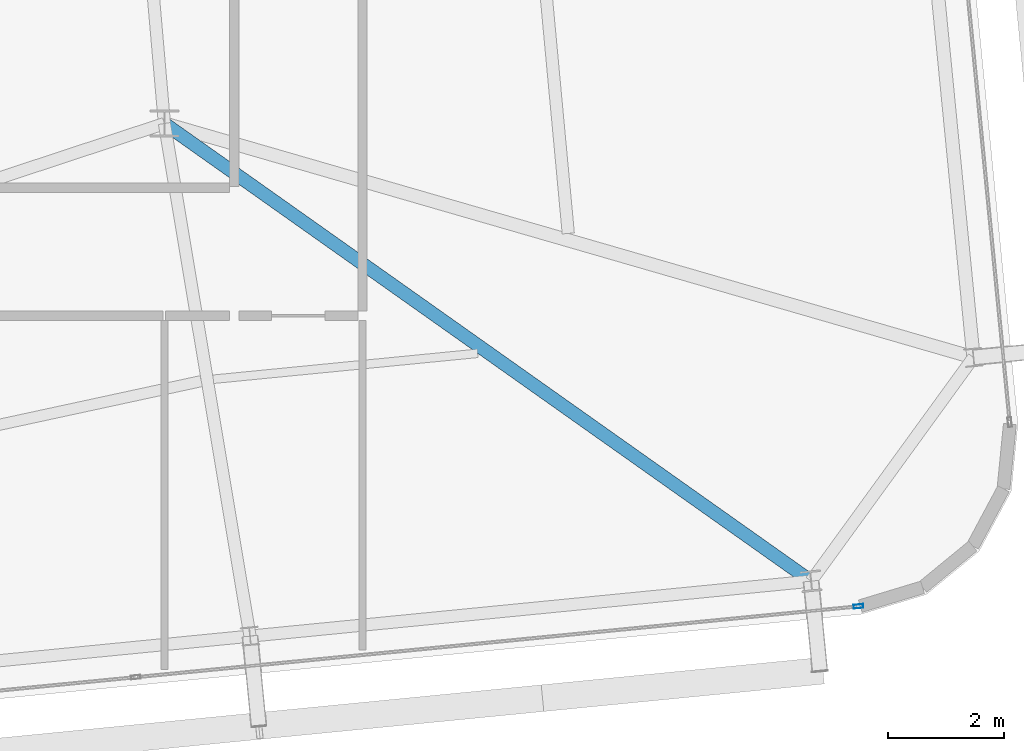
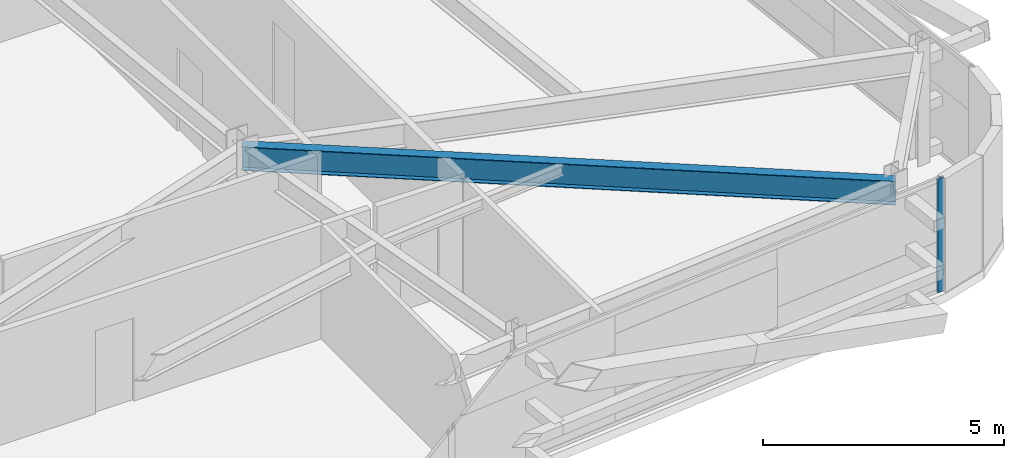
# One storey, part 17 of 47: 1 beam, 1 member, 1 element without a shape of its own.
"""IFC4 building model written with IfcOpenShell, lengths in metres."""

import ifcopenshell
import ifcopenshell.guid

model = None  # the IFC model being written
_history = None  # IfcOwnerHistory: only IFC2X3 demands one
_inside = {}  # id of a spatial element -> (the spatial element, [elements in it])
_under = {}  # id of a project, library or spatial element -> (it, [spatial elements below it])
_declared = {}  # id of a project -> (the project, [libraries it declares])
_typed = {}  # id of a type object -> (the type object, [elements of that type])
_made_of = {}  # id of a material, layer set ... -> (it, [elements and type objects made of it])


def new_model(schema):
    """Start an empty IFC model of exactly this schema.

    Asked for "IFC4X3", IfcOpenShell would pick the latest addendum, in which some entities
    have other attributes; the version numbers below select the first issue.
    IFC2X3 requires an IfcOwnerHistory on every rooted entity: one is made here for all.
    """
    global model, _history
    if schema == "IFC4X3":
        model = ifcopenshell.file(schema_version=(4, 3, 0, 0))
    else:
        model = ifcopenshell.file(schema=schema)
    _inside.clear()
    _under.clear()
    _declared.clear()
    _typed.clear()
    _made_of.clear()
    _history = None
    if model.schema == "IFC2X3":
        org = make("IfcOrganization", Name="unknown")
        user = make(
            "IfcPersonAndOrganization",
            ThePerson=make("IfcPerson", FamilyName="unknown"),
            TheOrganization=org,
        )
        app = make(
            "IfcApplication",
            ApplicationDeveloper=org,
            Version="unknown",
            ApplicationFullName="unknown",
            ApplicationIdentifier="unknown",
        )
        _history = make(
            "IfcOwnerHistory",
            OwningUser=user,
            OwningApplication=app,
            ChangeAction="ADDED",
            CreationDate=0,
        )
    return model


def make(cls, **values):
    """One entity of the class cls with the attributes given. An attribute that is None is left unset."""
    return model.create_entity(
        cls, **{name: value for name, value in values.items() if value is not None}
    )


def rooted(cls, **values):
    """An entity with a GlobalId (a new one), such as an element, a storey or a relation."""
    return make(cls, GlobalId=ifcopenshell.guid.new(), OwnerHistory=_history, **values)


def si_unit(unit_type, name, prefix=None):
    """IfcSIUnit, for example si_unit("LENGTHUNIT", "METRE", prefix="MILLI")."""
    return make("IfcSIUnit", UnitType=unit_type, Prefix=prefix, Name=name)


def assignment(units):
    """IfcUnitAssignment: the units of a project."""
    return None if units is None else make("IfcUnitAssignment", Units=units)


def point(xyz):
    """IfcCartesianPoint."""
    return None if xyz is None else make("IfcCartesianPoint", Coordinates=xyz)


def direction(xyz):
    """IfcDirection."""
    return None if xyz is None else make("IfcDirection", DirectionRatios=xyz)


def frame(location, z_axis=None, x_axis=None):
    """IfcAxis2Placement3D, a coordinate frame: its origin and axes. An axis left out is left unset."""
    return make(
        "IfcAxis2Placement3D",
        Location=point(location),
        Axis=direction(z_axis),
        RefDirection=direction(x_axis),
    )


def frame_2d(location, x_axis=None):
    """IfcAxis2Placement2D, a coordinate frame in the plane: its origin and x axis."""
    return make(
        "IfcAxis2Placement2D", Location=point(location), RefDirection=direction(x_axis)
    )


def origin():
    """The frame at (0, 0, 0) with its axes left unset."""
    return frame((0.0, 0.0, 0.0))


def origin_2d():
    """The frame at (0, 0) in the plane with its x axis left unset."""
    return frame_2d((0.0, 0.0))


def place(relative_to, where):
    """IfcLocalPlacement: puts the frame where relative to a parent placement (None: the world)."""
    return make(
        "IfcLocalPlacement", PlacementRelTo=relative_to, RelativePlacement=where
    )


def context(
    kind, dimensions, precision=None, world=None, true_north=None, identifier=None
):
    """IfcGeometricRepresentationContext, for example the 3D "Model" context."""
    return make(
        "IfcGeometricRepresentationContext",
        ContextIdentifier=identifier,
        ContextType=kind,
        CoordinateSpaceDimension=dimensions,
        Precision=precision,
        WorldCoordinateSystem=world,
        TrueNorth=true_north,
    )


def subcontext(parent, identifier, kind, view, scale=None):
    """IfcGeometricRepresentationSubContext, for example "Body" below "Model"."""
    return make(
        "IfcGeometricRepresentationSubContext",
        ContextIdentifier=identifier,
        ContextType=kind,
        ParentContext=parent,
        TargetScale=scale,
        TargetView=view,
    )


def project(units=None, contexts=None):
    """IfcProject with its units and contexts."""
    return rooted(
        "IfcProject",
        Name="project",
        RepresentationContexts=contexts,
        UnitsInContext=assignment(units),
    )


def spatial(cls, under=None, at=None, **own):
    """A site, building, storey or space (cls), placed at a placement, below another one or the project."""
    s = rooted(cls, ObjectPlacement=at, **own)
    if under is not None:
        _under.setdefault(under.id(), (under, []))[1].append(s)
    return s


def profile(cls, at=None, kind="AREA", **sizes):
    """A parametric profile (cls). Its sizes go by their IFC names, for example OverallWidth=200.0."""
    return make(cls, ProfileType=kind, Position=at, **sizes)


def hollow_rectangle(**sizes):
    """IfcRectangleHollowProfileDef."""
    return profile("IfcRectangleHollowProfileDef", **sizes)


def i_section(**sizes):
    """IfcIShapeProfileDef."""
    return profile("IfcIShapeProfileDef", **sizes)


def extrude(swept, where, along, depth):
    """IfcExtrudedAreaSolid: the profile swept, set in the frame where, extruded along a direction by depth."""
    return make(
        "IfcExtrudedAreaSolid",
        SweptArea=swept,
        Position=where,
        ExtrudedDirection=direction(along),
        Depth=depth,
    )


def shape(context_of_items, identifier, shape_type, items):
    """IfcShapeRepresentation: the items that make up one representation, for example the "Body"."""
    return make(
        "IfcShapeRepresentation",
        ContextOfItems=context_of_items,
        RepresentationIdentifier=identifier,
        RepresentationType=shape_type,
        Items=items,
    )


def source(mapping_origin, context_of_items, identifier, shape_type, items):
    """IfcRepresentationMap: a shape defined once, which mapped items show again and again."""
    return make(
        "IfcRepresentationMap",
        MappingOrigin=mapping_origin,
        MappedRepresentation=shape(context_of_items, identifier, shape_type, items),
    )


def transform(
    local_origin,
    x_axis=None,
    y_axis=None,
    z_axis=None,
    scale=None,
    scale2=None,
    scale3=None,
    uniform=True,
):
    """IfcCartesianTransformationOperator3D, or its non-uniform kind. x_axis, y_axis, z_axis: its Axis1, 2, 3."""
    if uniform:
        return make(
            "IfcCartesianTransformationOperator3D",
            Axis1=direction(x_axis),
            Axis2=direction(y_axis),
            LocalOrigin=point(local_origin),
            Scale=scale,
            Axis3=direction(z_axis),
        )
    return make(
        "IfcCartesianTransformationOperator3DnonUniform",
        Axis1=direction(x_axis),
        Axis2=direction(y_axis),
        LocalOrigin=point(local_origin),
        Scale=scale,
        Axis3=direction(z_axis),
        Scale2=scale2,
        Scale3=scale3,
    )


def mapped(mapping_source, mapping_target):
    """IfcMappedItem: shows the shape of a source again, moved by a transform."""
    return make(
        "IfcMappedItem", MappingSource=mapping_source, MappingTarget=mapping_target
    )


def material(Name=None, Category=None):
    """IfcMaterial."""
    return make("IfcMaterial", Name=Name, Category=Category)


def layer(
    of_material, thickness, ventilated=None, Name=None, Category=None, Priority=None
):
    """IfcMaterialLayer: one layer of a wall or slab, of a material (None: an air gap)."""
    return make(
        "IfcMaterialLayer",
        Material=of_material,
        LayerThickness=thickness,
        IsVentilated=ventilated,
        Name=Name,
        Category=Category,
        Priority=Priority,
    )


def layer_set(layers, Name=None):
    """IfcMaterialLayerSet."""
    return make("IfcMaterialLayerSet", MaterialLayers=layers, LayerSetName=Name)


def material_profile(
    of_material, cross_section, Name=None, Category=None, Priority=None
):
    """IfcMaterialProfile: a cross section and its material."""
    return make(
        "IfcMaterialProfile",
        Name=Name,
        Material=of_material,
        Profile=cross_section,
        Priority=Priority,
        Category=Category,
    )


def profile_set(profiles, Name=None, composite=None):
    """IfcMaterialProfileSet."""
    return make(
        "IfcMaterialProfileSet",
        Name=Name,
        MaterialProfiles=profiles,
        CompositeProfile=composite,
    )


def made_of(thing, what):
    """Note that an element or type object is made of a material, layer set ...; save() writes the relation."""
    if what is not None:
        _made_of.setdefault(what.id(), (what, []))[1].append(thing)
    return thing


def type_object(cls, material=None, **own):
    """A type object (cls), such as IfcWallType, which elements share."""
    return made_of(rooted(cls, **own), material)


def element(
    cls,
    number,
    at=None,
    inside=None,
    cuts=None,
    type_object=None,
    material=None,
    context=None,
    identifier="Body",
    shape_type=None,
    held_by="IfcProductDefinitionShape",
    body=None,
    shapes=None,
    **own,
):
    """One element of the class cls, such as IfcWall. Its Tag is "e" and its number.

    at: its placement. inside: the storey or other place that contains it. cuts: it is an
    opening in that element (IfcRelVoidsElement). A single representation is given by context,
    identifier, shape_type and body (its items); several are given by shapes. held_by: the class
    of the entity that holds the representations. save() writes the other relations.
    """
    e = rooted(cls, Tag="e%d" % number, ObjectPlacement=at, **own)
    if body is not None:
        shapes = [shape(context, identifier, shape_type, body)]
    if shapes is not None:
        e.Representation = make(held_by, Representations=shapes)
    if inside is not None:
        _inside.setdefault(inside.id(), (inside, []))[1].append(e)
    if cuts is not None:
        rooted(
            "IfcRelVoidsElement", RelatingBuildingElement=cuts, RelatedOpeningElement=e
        )
    if type_object is not None:
        _typed.setdefault(type_object.id(), (type_object, []))[1].append(e)
    return made_of(e, material)


def aggregate(whole, parts):
    """IfcRelAggregates: a whole, such as a stair, and the parts it consists of."""
    return rooted("IfcRelAggregates", RelatingObject=whole, RelatedObjects=parts)


def save(model, path):
    """Write the relations noted so far, then the file.

    IfcRelAggregates (storeys below a building ...), IfcRelContainedInSpatialStructure (elements
    in a storey), IfcRelDefinesByType, IfcRelAssociatesMaterial and IfcRelDeclares: one each for
    every whole, place, type object, material and project.
    """
    for whole, parts in _under.values():
        aggregate(whole, parts)
    for where, things in _inside.values():
        rooted(
            "IfcRelContainedInSpatialStructure",
            RelatedElements=things,
            RelatingStructure=where,
        )
    for kind, things in _typed.values():
        rooted("IfcRelDefinesByType", RelatedObjects=things, RelatingType=kind)
    for what, things in _made_of.values():
        rooted("IfcRelAssociatesMaterial", RelatedObjects=things, RelatingMaterial=what)
    for by, libraries in _declared.values():
        rooted("IfcRelDeclares", RelatingContext=by, RelatedDefinitions=libraries)
    model.write(path)


model = new_model("IFC4")

# Units and contexts
model_context = context("Model", 3, precision=1e-05, world=origin(), true_north=direction((0.0, 1.0)))
body_context = subcontext(model_context, "Body", "Model", "MODEL_VIEW")
ifc_project = project(units=[si_unit("LENGTHUNIT", "METRE"), si_unit("AREAUNIT", "SQUARE_METRE"), si_unit("VOLUMEUNIT", "CUBIC_METRE"), si_unit("PLANEANGLEUNIT", "RADIAN"), si_unit("MASSUNIT", "GRAM", prefix="KILO")], contexts=[model_context])

# Site, building, storey
site_placement = place(None, origin())
site = spatial("IfcSite", under=ifc_project, at=site_placement, CompositionType="ELEMENT")
building_placement = place(site_placement, origin())
building = spatial("IfcBuilding", under=site, at=building_placement, Name="Taldren Reach Tower", CompositionType="ELEMENT")
storey_placement = place(building_placement, frame((0.0, 0.0, 109.199951171875)))
storey = spatial("IfcBuildingStorey", under=building, at=storey_placement, Name="L33", CompositionType="ELEMENT", Elevation=109.199951171875)

# Beam
ifc_material_1 = material(Name="Steel Gr 350 (350PLUS)", Category="steel")
ifc_material_profile_1 = material_profile(ifc_material_1, i_section(OverallWidth=0.22802734375, OverallDepth=0.60205078125, WebThickness=0.010498046875, FlangeThickness=0.014892578125, at=origin_2d()), Name="610UB101")
ifc_profile_set_1 = profile_set([ifc_material_profile_1], Name="Steel Gr 350 (350PLUS)")
beam_type = type_object("IfcBeamType", Name="BM-UB610B", PredefinedType="BEAM", material=ifc_profile_set_1)
shared_shape_1 = source(origin(), body_context, "Body", "SweptSolid", [
    extrude(i_section(OverallWidth=0.22802734375, OverallDepth=0.60205078125, WebThickness=0.010498046875, FlangeThickness=0.014892578125, at=origin_2d()), origin(), (0.0, 0.0, 1.0), 13.60205078125),
])
beam_placement = place(storey_placement, frame((52.0, 12.5, 2.569091796875), z_axis=(0.816297773281, -0.577631323022, 0.0), x_axis=(0.577631323022, 0.816297773281, 0.0)))
element("IfcBeam", 1, at=beam_placement, inside=storey, type_object=beam_type, Name="Primary floor girder B2-S6 L33", PredefinedType="BEAM", context=body_context, shape_type="MappedRepresentation", body=[
    mapped(shared_shape_1, transform((0.0, 0.0, 0.0), scale=1.0)),
])

# Curtain wall, member
ifc_material_2 = material(Name="Aluminium and Low-E Glass Unitised System", Category="aluminium")
ifc_layer = layer(ifc_material_2, 0.159912109375)
ifc_layer_set = layer_set([ifc_layer], Name="Aluminium and Low-E Glass Unitised System")
curtain_wall_type = type_object("IfcCurtainWallType", Name="CW-SYS-3", PredefinedType="NOTDEFINED", material=ifc_layer_set)
curtain_wall_placement = place(storey_placement, origin())
curtain_wall = element("IfcCurtainWall", 2, at=curtain_wall_placement, inside=storey, type_object=curtain_wall_type, Name="Unitised curtain wall CW-L33-S", PredefinedType="NOTDEFINED")
ifc_material_3 = material(Name="Anodised Aluminium 6063-T6", Category="aluminium")
ifc_material_profile_2 = material_profile(ifc_material_3, hollow_rectangle(XDim=0.06494140625, YDim=0.1650390625, WallThickness=0.00390625, at=origin_2d()), Name="ALU-165x65x4RHS")
ifc_profile_set_2 = profile_set([ifc_material_profile_2], Name="Anodised Aluminium 6063-T6")
member_type = type_object("IfcMemberType", Name="CW-MUL-165", PredefinedType="MULLION", material=ifc_profile_set_2)
shared_shape_2 = source(origin(), body_context, "Body", "SweptSolid", [
    extrude(hollow_rectangle(XDim=0.06494140625, YDim=0.1650390625, WallThickness=0.00390625, at=origin_2d()), origin(), (0.0, 0.0, 1.0), 2.8701171875),
])
member_placement = place(storey_placement, frame((63.916748046875, 4.21044921875, 0.0), z_axis=(0.0, 0.0, 1.0), x_axis=(-0.097582999046, 0.995227390247, 0.0)))
member = element("IfcMember", 3, at=member_placement, type_object=member_type, Name="CW-3 mullion 5", PredefinedType="MULLION", context=body_context, shape_type="MappedRepresentation", body=[
    mapped(shared_shape_2, transform((0.0, 0.0, 0.0), scale=1.0)),
])
aggregate(curtain_wall, [member])

save(model, "model.ifc")
